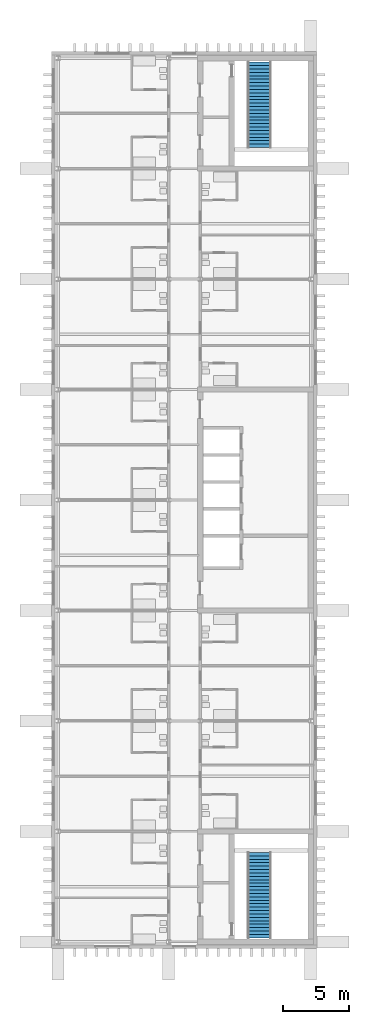
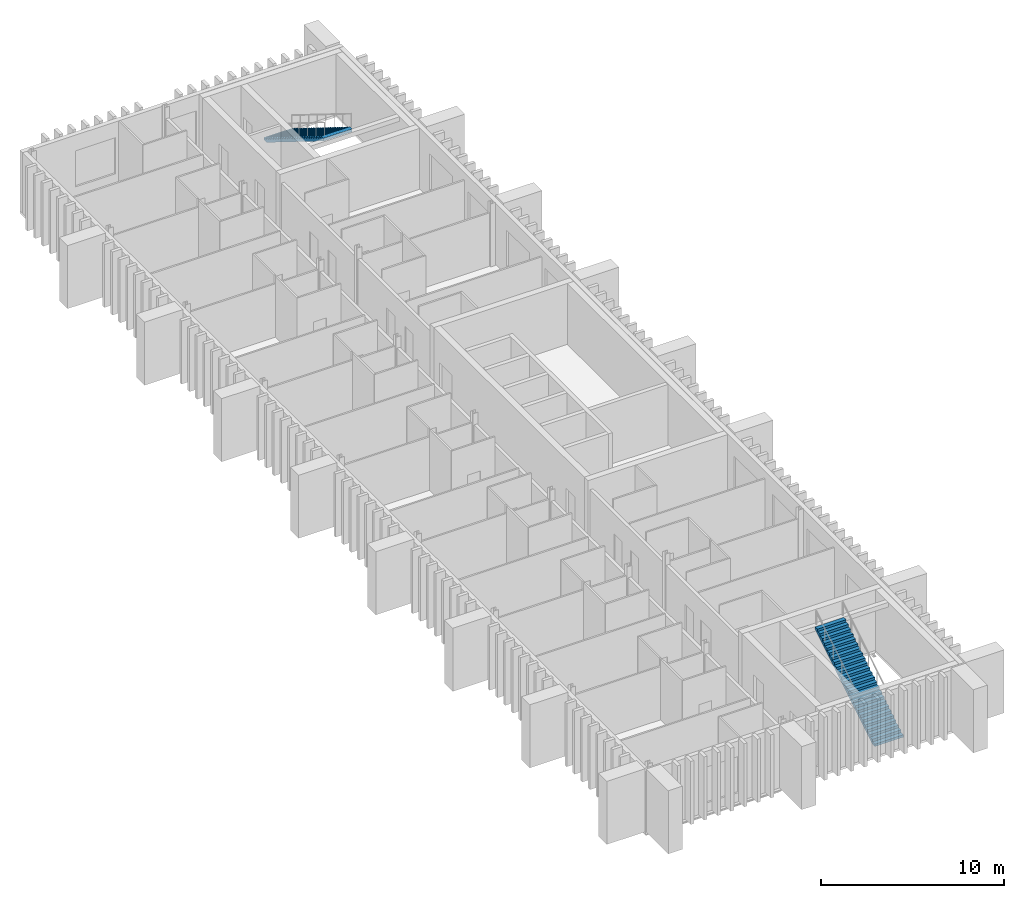
# One storey, part 9 of 11: 2 stair flights, 2 elements without a shape of their own.
"""IFC4 building model written with IfcOpenShell, lengths in metres."""

from ifc_helpers import new_model, si_unit, direction, frame, origin, place, context, subcontext, project, spatial, polyline, outline, extrude, material, type_object, element, aggregate, save


model = new_model("IFC4")

# Units and contexts
model_context = context("Model", 3, precision=1e-05, world=origin(), true_north=direction((0.0, 1.0)))
body_context = subcontext(model_context, "Body", "Model", "MODEL_VIEW")
ifc_project = project(units=[si_unit("LENGTHUNIT", "METRE"), si_unit("AREAUNIT", "SQUARE_METRE"), si_unit("VOLUMEUNIT", "CUBIC_METRE"), si_unit("PLANEANGLEUNIT", "RADIAN"), si_unit("MASSUNIT", "GRAM", prefix="KILO")], contexts=[model_context])

# Site, building, storey
site_placement = place(None, origin())
site = spatial("IfcSite", under=ifc_project, at=site_placement, CompositionType="ELEMENT")
building_placement = place(site_placement, origin())
building = spatial("IfcBuilding", under=site, at=building_placement, Name="Cresset Court Congress Hotel", CompositionType="ELEMENT")
storey_placement = place(building_placement, frame((0.0, 0.0, 60.60009765625)))
storey = spatial("IfcBuildingStorey", under=building, at=storey_placement, Name="L14", CompositionType="ELEMENT", Elevation=60.60009765625)

# Stair, stair flight
ifc_material_1 = material(Name="Concrete C40", Category="concrete")
stair_type = type_object("IfcStairType", Name="Concrete dog-leg stair 5600", PredefinedType="HALF_TURN_STAIR", material=ifc_material_1)
stair_1_placement = place(storey_placement, origin())
stair_1 = element("IfcStair", 1, at=stair_1_placement, inside=storey, type_object=stair_type, Name="Stair A1 L14", PredefinedType="HALF_TURN_STAIR")
ifc_material_2 = material(Name="Concrete C40", Category="concrete")
stair_flight_type = type_object("IfcStairFlightType", Name="Concrete stair flight", PredefinedType="STRAIGHT", material=ifc_material_2)
stair_flight_1_placement = place(storey_placement, frame((172.5, 0.300048828125, 0.0), z_axis=(0.0, 0.0, 1.0), x_axis=(0.0, 1.0, 0.0)))
stair_flight_1 = element("IfcStairFlight", 2, at=stair_flight_1_placement, type_object=stair_flight_type, Name="A-ST1 flight 1", NumberOfRisers=26, NumberOfTreads=25, PredefinedType="STRAIGHT", RiserHeight=0.161538462, TreadLength=0.26, context=body_context, shape_type="SweptSolid", body=[
    extrude(outline(polyline([(0.0, 0.0), (0.0, 0.16162109375), (0.260009765625, 0.16162109375), (0.260009765625, 0.322998046875), (0.52001953125, 0.322998046875), (0.52001953125, 0.484619140625), (0.780029296875, 0.484619140625), (0.780029296875, 0.646240234375), (1.0400390625, 0.646240234375), (1.0400390625, 0.8076171875), (1.300048828125, 0.8076171875), (1.300048828125, 0.96923828125), (1.56005859375, 0.96923828125), (1.56005859375, 1.130859375), (1.820068359375, 1.130859375), (1.820068359375, 1.292236328125), (2.080078125, 1.292236328125), (2.080078125, 1.453857421875), (2.340087890625, 1.453857421875), (2.340087890625, 1.615478515625), (2.60009765625, 1.615478515625), (2.60009765625, 1.77685546875), (2.860107421875, 1.77685546875), (2.860107421875, 1.9384765625), (3.1201171875, 1.9384765625), (3.1201171875, 2.10009765625), (3.3798828125, 2.10009765625), (3.3798828125, 2.261474609375), (3.639892578125, 2.261474609375), (3.639892578125, 2.423095703125), (3.89990234375, 2.423095703125), (3.89990234375, 2.584716796875), (4.159912109375, 2.584716796875), (4.159912109375, 2.74609375), (4.419921875, 2.74609375), (4.419921875, 2.90771484375), (4.679931640625, 2.90771484375), (4.679931640625, 3.0693359375), (4.93994140625, 3.0693359375), (4.93994140625, 3.230712890625), (5.199951171875, 3.230712890625), (5.199951171875, 3.392333984375), (5.4599609375, 3.392333984375), (5.4599609375, 3.553955078125), (5.719970703125, 3.553955078125), (5.719970703125, 3.71533203125), (5.97998046875, 3.71533203125), (5.97998046875, 3.876953125), (6.239990234375, 3.876953125), (6.239990234375, 4.03857421875), (6.5, 4.03857421875), (6.5, 4.199951171875), (6.5, 3.862060546875), (0.283935546875, 0.0), (0.0, 0.0)])), frame((0.0, 0.89990234375, 0.0), z_axis=(0.0, -1.0, 0.0), x_axis=(1.0, 0.0, 0.0)), (0.0, 0.0, 1.0), 1.800048828125),
])
aggregate(stair_1, [stair_flight_1])

stair_2_placement = place(storey_placement, origin())
stair_2 = element("IfcStair", 3, at=stair_2_placement, inside=storey, type_object=stair_type, Name="Stair A2 L14", PredefinedType="HALF_TURN_STAIR")
stair_flight_2_placement = place(storey_placement, frame((172.5, 66.89990234375, 0.0), z_axis=(0.0, 0.0, 1.0), x_axis=(0.0, -1.0, 0.0)))
stair_flight_2 = element("IfcStairFlight", 4, at=stair_flight_2_placement, type_object=stair_flight_type, Name="A-ST1 flight 1", NumberOfRisers=26, NumberOfTreads=25, PredefinedType="STRAIGHT", RiserHeight=0.161538462, TreadLength=0.26, context=body_context, shape_type="SweptSolid", body=[
    extrude(outline(polyline([(0.0, 0.0), (0.0, 0.16162109375), (0.260009765625, 0.16162109375), (0.260009765625, 0.322998046875), (0.52001953125, 0.322998046875), (0.52001953125, 0.484619140625), (0.780029296875, 0.484619140625), (0.780029296875, 0.646240234375), (1.0400390625, 0.646240234375), (1.0400390625, 0.8076171875), (1.300048828125, 0.8076171875), (1.300048828125, 0.96923828125), (1.56005859375, 0.96923828125), (1.56005859375, 1.130859375), (1.820068359375, 1.130859375), (1.820068359375, 1.292236328125), (2.080078125, 1.292236328125), (2.080078125, 1.453857421875), (2.340087890625, 1.453857421875), (2.340087890625, 1.615478515625), (2.60009765625, 1.615478515625), (2.60009765625, 1.77685546875), (2.860107421875, 1.77685546875), (2.860107421875, 1.9384765625), (3.1201171875, 1.9384765625), (3.1201171875, 2.10009765625), (3.3798828125, 2.10009765625), (3.3798828125, 2.261474609375), (3.639892578125, 2.261474609375), (3.639892578125, 2.423095703125), (3.89990234375, 2.423095703125), (3.89990234375, 2.584716796875), (4.159912109375, 2.584716796875), (4.159912109375, 2.74609375), (4.419921875, 2.74609375), (4.419921875, 2.90771484375), (4.679931640625, 2.90771484375), (4.679931640625, 3.0693359375), (4.93994140625, 3.0693359375), (4.93994140625, 3.230712890625), (5.199951171875, 3.230712890625), (5.199951171875, 3.392333984375), (5.4599609375, 3.392333984375), (5.4599609375, 3.553955078125), (5.719970703125, 3.553955078125), (5.719970703125, 3.71533203125), (5.97998046875, 3.71533203125), (5.97998046875, 3.876953125), (6.239990234375, 3.876953125), (6.239990234375, 4.03857421875), (6.5, 4.03857421875), (6.5, 4.199951171875), (6.5, 3.862060546875), (0.283935546875, 0.0), (0.0, 0.0)])), frame((0.0, 0.89990234375, 0.0), z_axis=(0.0, -1.0, 0.0), x_axis=(1.0, 0.0, 0.0)), (0.0, 0.0, 1.0), 1.800048828125),
])
aggregate(stair_2, [stair_flight_2])

save(model, "model.ifc")
